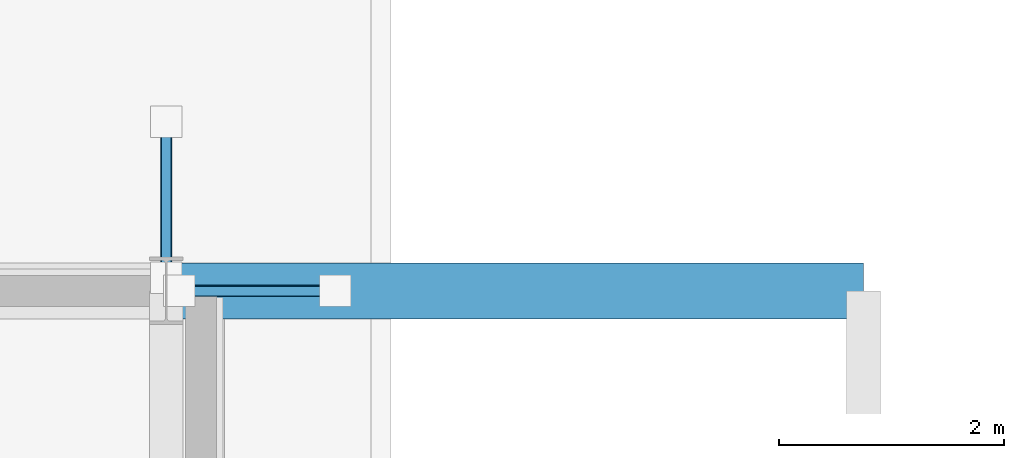
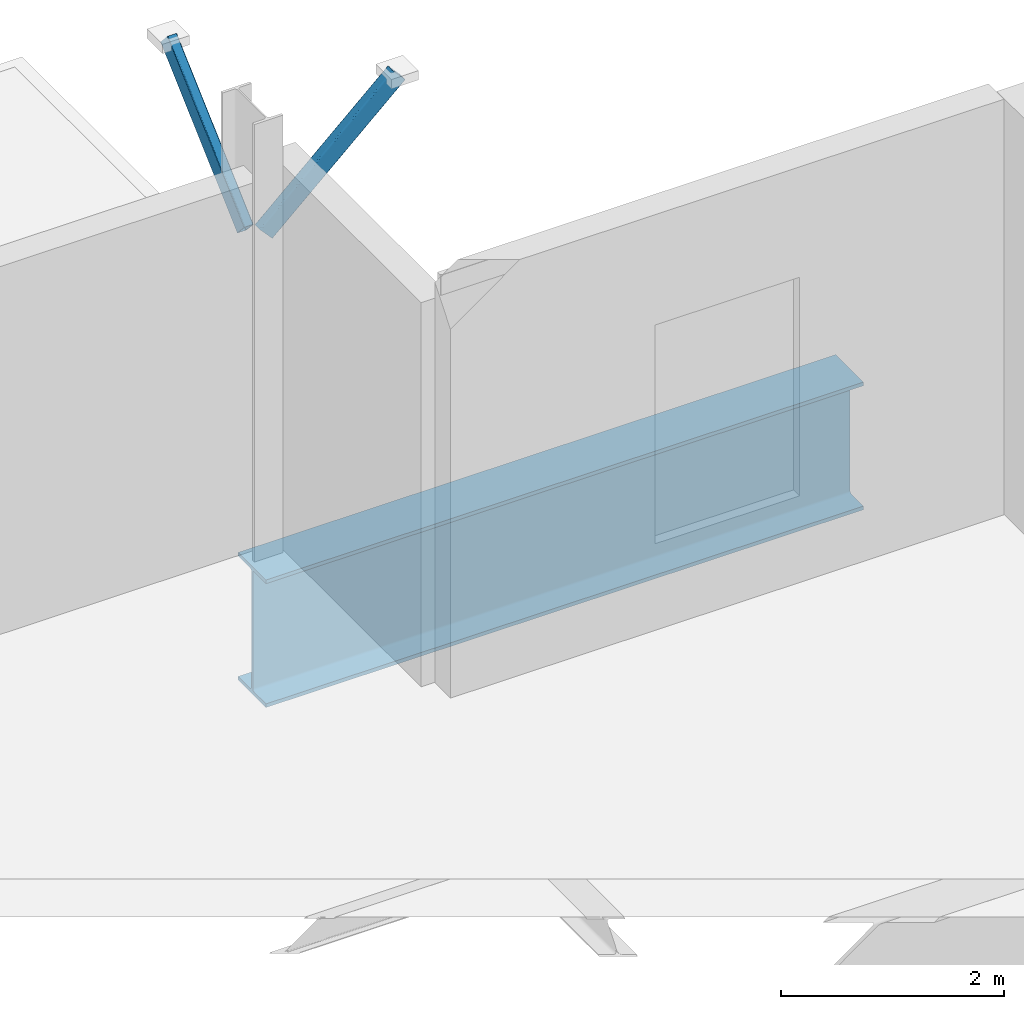
# One storey, part 79 of 120: 2 members, 1 beam.
"""IFC4 building model written with IfcOpenShell, lengths in metres."""

from ifc_helpers import new_model, si_unit, direction, frame, origin, origin_2d, place, context, subcontext, project, spatial, hollow_rectangle, i_section, extrude, material, material_profile, profile_set, type_object, element, save


model = new_model("IFC4")

# Units and contexts
model_context = context("Model", 3, precision=1e-05, world=origin(), true_north=direction((0.0, 1.0)))
body_context = subcontext(model_context, "Body", "Model", "MODEL_VIEW")
ifc_project = project(units=[si_unit("LENGTHUNIT", "METRE"), si_unit("AREAUNIT", "SQUARE_METRE"), si_unit("VOLUMEUNIT", "CUBIC_METRE"), si_unit("PLANEANGLEUNIT", "RADIAN"), si_unit("MASSUNIT", "GRAM", prefix="KILO")], contexts=[model_context])

# Site, building, storey
site_placement = place(None, origin())
site = spatial("IfcSite", under=ifc_project, at=site_placement, CompositionType="ELEMENT")
building_placement = place(site_placement, origin())
building = spatial("IfcBuilding", under=site, at=building_placement, Name="Vekula Escarpment Museum", CompositionType="ELEMENT")
storey_placement = place(building_placement, frame((0.0, 0.0, 13.199951171875)))
storey = spatial("IfcBuildingStorey", under=building, at=storey_placement, Name="L03", CompositionType="ELEMENT", Elevation=13.199951171875)

# Beam
ifc_material_1 = material(Name="Steel S355", Category="steel")
ifc_material_profile_1 = material_profile(ifc_material_1, i_section(OverallWidth=0.5, OverallDepth=1.39990234375, WebThickness=0.02392578125, FlangeThickness=0.0400390625, FilletRadius=0.02392578125, at=origin_2d()), Name="WPG 1400x500")
ifc_profile_set_1 = profile_set([ifc_material_profile_1], Name="Steel S355")
beam_type = type_object("IfcBeamType", Name="BM-CUMBA-GIRD", PredefinedType="BEAM", material=ifc_profile_set_1)
beam_placement = place(storey_placement, frame((191.800048828125, 128.39990234375, -0.97998046875), z_axis=(1.0, 0.0, 0.0), x_axis=(0.0, 1.0, 0.0)))
element("IfcBeam", 1, at=beam_placement, inside=storey, type_object=beam_type, Name="Cumba Cantilever Transfer Girder L03 2373", PredefinedType="BEAM", context=body_context, shape_type="SweptSolid", body=[
    extrude(i_section(OverallWidth=0.5, OverallDepth=1.39990234375, WebThickness=0.02392578125, FlangeThickness=0.0400390625, FilletRadius=0.02392578125, at=origin_2d()), origin(), (0.0, 0.0, 1.0), 6.199951171875),
])

# Members
ifc_material_2 = material(Name="Steel S355", Category="steel")
ifc_material_profile_2 = material_profile(ifc_material_2, hollow_rectangle(XDim=0.10009765625, YDim=0.199951171875, WallThickness=0.008056640625, InnerFilletRadius=0.008056640625, OuterFilletRadius=0.01611328125, at=origin_2d()), Name="RHS 200x100x8")
ifc_profile_set_2 = profile_set([ifc_material_profile_2], Name="Steel S355")
member_type = type_object("IfcMemberType", Name="MB-SACAK-BRK", PredefinedType="STRUT", material=ifc_profile_set_2)
member_1_placement = place(storey_placement, frame((191.919921875, 128.39990234375, 3.35009765625), z_axis=(0.738513776389, 0.0, 0.674238386688), x_axis=(0.0, 1.0, 0.0)))
element("IfcMember", 2, at=member_1_placement, inside=storey, type_object=member_type, Name="Ottoman Sacak Eave Bracket L04-0100", PredefinedType="STRUT", context=body_context, shape_type="SweptSolid", body=[
    extrude(hollow_rectangle(XDim=0.10009765625, YDim=0.199951171875, WallThickness=0.008056640625, InnerFilletRadius=0.008056640625, OuterFilletRadius=0.01611328125, at=origin_2d()), origin(), (0.0, 0.0, 1.0), 1.868896484375),
])
member_2_placement = place(storey_placement, frame((191.800048828125, 128.52001953125, 3.35009765625), z_axis=(0.0, 0.738454378718, 0.674303441006), x_axis=(-1.0, 0.0, 0.0)))
element("IfcMember", 3, at=member_2_placement, inside=storey, type_object=member_type, Name="Ottoman Sacak Eave Bracket L04-0101", PredefinedType="STRUT", context=body_context, shape_type="SweptSolid", body=[
    extrude(hollow_rectangle(XDim=0.10009765625, YDim=0.199951171875, WallThickness=0.008056640625, InnerFilletRadius=0.008056640625, OuterFilletRadius=0.01611328125, at=origin_2d()), origin(), (0.0, 0.0, 1.0), 1.86865234375),
])

save(model, "model.ifc")
